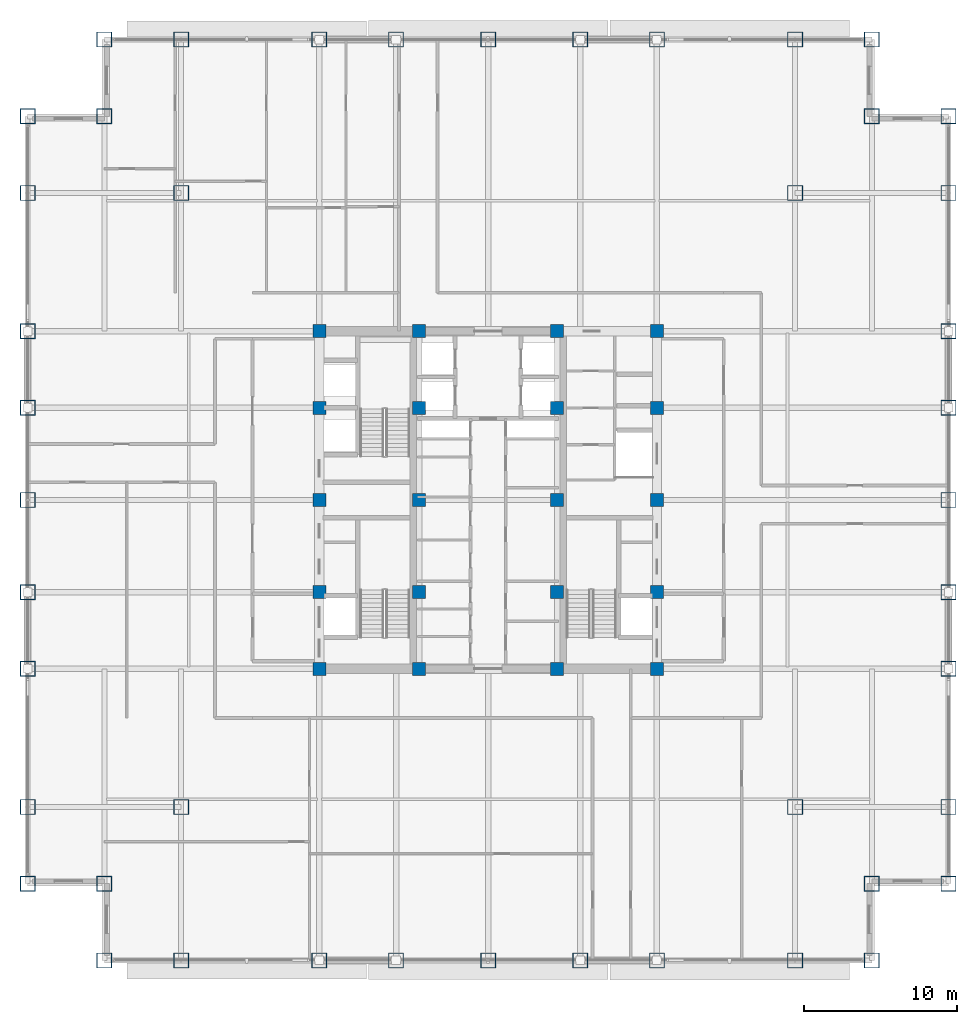
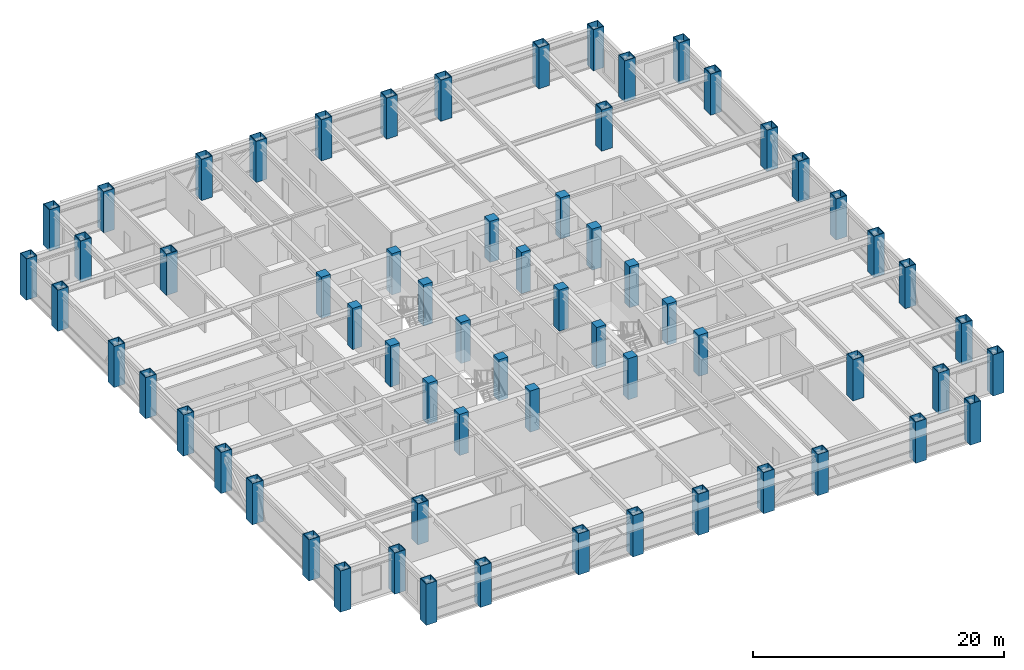
# One storey, part 1 of 29: 64 columns.
"""IFC4 building model written with IfcOpenShell, lengths in metres."""

import ifcopenshell
import ifcopenshell.guid

model = None  # the IFC model being written
_history = None  # IfcOwnerHistory: only IFC2X3 demands one
_inside = {}  # id of a spatial element -> (the spatial element, [elements in it])
_under = {}  # id of a project, library or spatial element -> (it, [spatial elements below it])
_declared = {}  # id of a project -> (the project, [libraries it declares])
_typed = {}  # id of a type object -> (the type object, [elements of that type])
_made_of = {}  # id of a material, layer set ... -> (it, [elements and type objects made of it])


def new_model(schema):
    """Start an empty IFC model of exactly this schema.

    Asked for "IFC4X3", IfcOpenShell would pick the latest addendum, in which some entities
    have other attributes; the version numbers below select the first issue.
    IFC2X3 requires an IfcOwnerHistory on every rooted entity: one is made here for all.
    """
    global model, _history
    if schema == "IFC4X3":
        model = ifcopenshell.file(schema_version=(4, 3, 0, 0))
    else:
        model = ifcopenshell.file(schema=schema)
    _inside.clear()
    _under.clear()
    _declared.clear()
    _typed.clear()
    _made_of.clear()
    _history = None
    if model.schema == "IFC2X3":
        org = make("IfcOrganization", Name="unknown")
        user = make(
            "IfcPersonAndOrganization",
            ThePerson=make("IfcPerson", FamilyName="unknown"),
            TheOrganization=org,
        )
        app = make(
            "IfcApplication",
            ApplicationDeveloper=org,
            Version="unknown",
            ApplicationFullName="unknown",
            ApplicationIdentifier="unknown",
        )
        _history = make(
            "IfcOwnerHistory",
            OwningUser=user,
            OwningApplication=app,
            ChangeAction="ADDED",
            CreationDate=0,
        )
    return model


def make(cls, **values):
    """One entity of the class cls with the attributes given. An attribute that is None is left unset."""
    return model.create_entity(
        cls, **{name: value for name, value in values.items() if value is not None}
    )


def rooted(cls, **values):
    """An entity with a GlobalId (a new one), such as an element, a storey or a relation."""
    return make(cls, GlobalId=ifcopenshell.guid.new(), OwnerHistory=_history, **values)


def si_unit(unit_type, name, prefix=None):
    """IfcSIUnit, for example si_unit("LENGTHUNIT", "METRE", prefix="MILLI")."""
    return make("IfcSIUnit", UnitType=unit_type, Prefix=prefix, Name=name)


def assignment(units):
    """IfcUnitAssignment: the units of a project."""
    return None if units is None else make("IfcUnitAssignment", Units=units)


def point(xyz):
    """IfcCartesianPoint."""
    return None if xyz is None else make("IfcCartesianPoint", Coordinates=xyz)


def direction(xyz):
    """IfcDirection."""
    return None if xyz is None else make("IfcDirection", DirectionRatios=xyz)


def frame(location, z_axis=None, x_axis=None):
    """IfcAxis2Placement3D, a coordinate frame: its origin and axes. An axis left out is left unset."""
    return make(
        "IfcAxis2Placement3D",
        Location=point(location),
        Axis=direction(z_axis),
        RefDirection=direction(x_axis),
    )


def frame_2d(location, x_axis=None):
    """IfcAxis2Placement2D, a coordinate frame in the plane: its origin and x axis."""
    return make(
        "IfcAxis2Placement2D", Location=point(location), RefDirection=direction(x_axis)
    )


def origin():
    """The frame at (0, 0, 0) with its axes left unset."""
    return frame((0.0, 0.0, 0.0))


def origin_2d():
    """The frame at (0, 0) in the plane with its x axis left unset."""
    return frame_2d((0.0, 0.0))


def place(relative_to, where):
    """IfcLocalPlacement: puts the frame where relative to a parent placement (None: the world)."""
    return make(
        "IfcLocalPlacement", PlacementRelTo=relative_to, RelativePlacement=where
    )


def context(
    kind, dimensions, precision=None, world=None, true_north=None, identifier=None
):
    """IfcGeometricRepresentationContext, for example the 3D "Model" context."""
    return make(
        "IfcGeometricRepresentationContext",
        ContextIdentifier=identifier,
        ContextType=kind,
        CoordinateSpaceDimension=dimensions,
        Precision=precision,
        WorldCoordinateSystem=world,
        TrueNorth=true_north,
    )


def subcontext(parent, identifier, kind, view, scale=None):
    """IfcGeometricRepresentationSubContext, for example "Body" below "Model"."""
    return make(
        "IfcGeometricRepresentationSubContext",
        ContextIdentifier=identifier,
        ContextType=kind,
        ParentContext=parent,
        TargetScale=scale,
        TargetView=view,
    )


def project(units=None, contexts=None):
    """IfcProject with its units and contexts."""
    return rooted(
        "IfcProject",
        Name="project",
        RepresentationContexts=contexts,
        UnitsInContext=assignment(units),
    )


def spatial(cls, under=None, at=None, **own):
    """A site, building, storey or space (cls), placed at a placement, below another one or the project."""
    s = rooted(cls, ObjectPlacement=at, **own)
    if under is not None:
        _under.setdefault(under.id(), (under, []))[1].append(s)
    return s


def profile(cls, at=None, kind="AREA", **sizes):
    """A parametric profile (cls). Its sizes go by their IFC names, for example OverallWidth=200.0."""
    return make(cls, ProfileType=kind, Position=at, **sizes)


def rectangle(**sizes):
    """IfcRectangleProfileDef."""
    return profile("IfcRectangleProfileDef", **sizes)


def hollow_rectangle(**sizes):
    """IfcRectangleHollowProfileDef."""
    return profile("IfcRectangleHollowProfileDef", **sizes)


def extrude(swept, where, along, depth):
    """IfcExtrudedAreaSolid: the profile swept, set in the frame where, extruded along a direction by depth."""
    return make(
        "IfcExtrudedAreaSolid",
        SweptArea=swept,
        Position=where,
        ExtrudedDirection=direction(along),
        Depth=depth,
    )


def shape(context_of_items, identifier, shape_type, items):
    """IfcShapeRepresentation: the items that make up one representation, for example the "Body"."""
    return make(
        "IfcShapeRepresentation",
        ContextOfItems=context_of_items,
        RepresentationIdentifier=identifier,
        RepresentationType=shape_type,
        Items=items,
    )


def source(mapping_origin, context_of_items, identifier, shape_type, items):
    """IfcRepresentationMap: a shape defined once, which mapped items show again and again."""
    return make(
        "IfcRepresentationMap",
        MappingOrigin=mapping_origin,
        MappedRepresentation=shape(context_of_items, identifier, shape_type, items),
    )


def transform(
    local_origin,
    x_axis=None,
    y_axis=None,
    z_axis=None,
    scale=None,
    scale2=None,
    scale3=None,
    uniform=True,
):
    """IfcCartesianTransformationOperator3D, or its non-uniform kind. x_axis, y_axis, z_axis: its Axis1, 2, 3."""
    if uniform:
        return make(
            "IfcCartesianTransformationOperator3D",
            Axis1=direction(x_axis),
            Axis2=direction(y_axis),
            LocalOrigin=point(local_origin),
            Scale=scale,
            Axis3=direction(z_axis),
        )
    return make(
        "IfcCartesianTransformationOperator3DnonUniform",
        Axis1=direction(x_axis),
        Axis2=direction(y_axis),
        LocalOrigin=point(local_origin),
        Scale=scale,
        Axis3=direction(z_axis),
        Scale2=scale2,
        Scale3=scale3,
    )


def mapped(mapping_source, mapping_target):
    """IfcMappedItem: shows the shape of a source again, moved by a transform."""
    return make(
        "IfcMappedItem", MappingSource=mapping_source, MappingTarget=mapping_target
    )


def material(Name=None, Category=None):
    """IfcMaterial."""
    return make("IfcMaterial", Name=Name, Category=Category)


def material_profile(
    of_material, cross_section, Name=None, Category=None, Priority=None
):
    """IfcMaterialProfile: a cross section and its material."""
    return make(
        "IfcMaterialProfile",
        Name=Name,
        Material=of_material,
        Profile=cross_section,
        Priority=Priority,
        Category=Category,
    )


def profile_set(profiles, Name=None, composite=None):
    """IfcMaterialProfileSet."""
    return make(
        "IfcMaterialProfileSet",
        Name=Name,
        MaterialProfiles=profiles,
        CompositeProfile=composite,
    )


def made_of(thing, what):
    """Note that an element or type object is made of a material, layer set ...; save() writes the relation."""
    if what is not None:
        _made_of.setdefault(what.id(), (what, []))[1].append(thing)
    return thing


def type_object(cls, material=None, **own):
    """A type object (cls), such as IfcWallType, which elements share."""
    return made_of(rooted(cls, **own), material)


def element(
    cls,
    number,
    at=None,
    inside=None,
    cuts=None,
    type_object=None,
    material=None,
    context=None,
    identifier="Body",
    shape_type=None,
    held_by="IfcProductDefinitionShape",
    body=None,
    shapes=None,
    **own,
):
    """One element of the class cls, such as IfcWall. Its Tag is "e" and its number.

    at: its placement. inside: the storey or other place that contains it. cuts: it is an
    opening in that element (IfcRelVoidsElement). A single representation is given by context,
    identifier, shape_type and body (its items); several are given by shapes. held_by: the class
    of the entity that holds the representations. save() writes the other relations.
    """
    e = rooted(cls, Tag="e%d" % number, ObjectPlacement=at, **own)
    if body is not None:
        shapes = [shape(context, identifier, shape_type, body)]
    if shapes is not None:
        e.Representation = make(held_by, Representations=shapes)
    if inside is not None:
        _inside.setdefault(inside.id(), (inside, []))[1].append(e)
    if cuts is not None:
        rooted(
            "IfcRelVoidsElement", RelatingBuildingElement=cuts, RelatedOpeningElement=e
        )
    if type_object is not None:
        _typed.setdefault(type_object.id(), (type_object, []))[1].append(e)
    return made_of(e, material)


def aggregate(whole, parts):
    """IfcRelAggregates: a whole, such as a stair, and the parts it consists of."""
    return rooted("IfcRelAggregates", RelatingObject=whole, RelatedObjects=parts)


def save(model, path):
    """Write the relations noted so far, then the file.

    IfcRelAggregates (storeys below a building ...), IfcRelContainedInSpatialStructure (elements
    in a storey), IfcRelDefinesByType, IfcRelAssociatesMaterial and IfcRelDeclares: one each for
    every whole, place, type object, material and project.
    """
    for whole, parts in _under.values():
        aggregate(whole, parts)
    for where, things in _inside.values():
        rooted(
            "IfcRelContainedInSpatialStructure",
            RelatedElements=things,
            RelatingStructure=where,
        )
    for kind, things in _typed.values():
        rooted("IfcRelDefinesByType", RelatedObjects=things, RelatingType=kind)
    for what, things in _made_of.values():
        rooted("IfcRelAssociatesMaterial", RelatedObjects=things, RelatingMaterial=what)
    for by, libraries in _declared.values():
        rooted("IfcRelDeclares", RelatingContext=by, RelatedDefinitions=libraries)
    model.write(path)


model = new_model("IFC4")

# Units and contexts
model_context = context("Model", 3, precision=1e-05, world=origin(), true_north=direction((0.0, 1.0)))
body_context = subcontext(model_context, "Body", "Model", "MODEL_VIEW")
ifc_project = project(units=[si_unit("LENGTHUNIT", "METRE"), si_unit("AREAUNIT", "SQUARE_METRE"), si_unit("VOLUMEUNIT", "CUBIC_METRE"), si_unit("PLANEANGLEUNIT", "RADIAN"), si_unit("MASSUNIT", "GRAM", prefix="KILO")], contexts=[model_context])

# Site, building, storey
site_placement = place(None, origin())
site = spatial("IfcSite", under=ifc_project, at=site_placement, CompositionType="ELEMENT")
building_placement = place(site_placement, origin())
building = spatial("IfcBuilding", under=site, at=building_placement, Name="Khorayat Bourse Tower", CompositionType="ELEMENT")
storey_placement = place(building_placement, frame((0.0, 0.0, 235.10009765625)))
storey = spatial("IfcBuildingStorey", under=building, at=storey_placement, Name="L55", CompositionType="ELEMENT", Elevation=235.10009765625)

# Columns
ifc_material_1 = material(Name="Concrete C60/75", Category="concrete")
ifc_material_profile_1 = material_profile(ifc_material_1, rectangle(XDim=0.85009765625, YDim=0.85009765625, at=origin_2d()), Name="RC 850x850")
ifc_profile_set_1 = profile_set([ifc_material_profile_1], Name="Concrete C60/75")
column_type_1 = type_object("IfcColumnType", Name="COL-CORE-850", PredefinedType="COLUMN", material=ifc_profile_set_1)
shared_shape_1 = source(origin(), body_context, "Body", "SweptSolid", [
    extrude(rectangle(XDim=0.85009765625, YDim=0.85009765625, at=origin_2d()), origin(), (0.0, 0.0, 1.0), 4.0),
])
for number, where, z_axis, x_axis, name in (
    (1, (-11.0, -11.0, 0.0), (0.0, 0.0, 1.0), (1.0, 0.0, 0.0), "L55 Column 019"),
    (2, (-11.0, -6.0, 0.0), (0.0, 0.0, 1.0), (1.0, 0.0, 0.0), "L55 Column 020"),
    (3, (-11.0, 0.0, 0.0), (0.0, 0.0, 1.0), (1.0, 0.0, 0.0), "L55 Column 021"),
    (4, (-11.0, 6.0, 0.0), (0.0, 0.0, 1.0), (1.0, 0.0, 0.0), "L55 Column 022"),
    (5, (-11.0, 11.0, 0.0), (0.0, 0.0, 1.0), (1.0, 0.0, 0.0), "L55 Column 023"),
    (6, (-4.5, -11.0, 0.0), (0.0, 0.0, 1.0), (1.0, 0.0, 0.0), "L55 Column 027"),
    (7, (-4.5, -6.0, 0.0), (0.0, 0.0, 1.0), (1.0, 0.0, 0.0), "L55 Column 028"),
    (8, (-4.5, 0.0, 0.0), (0.0, 0.0, 1.0), (1.0, 0.0, 0.0), "L55 Column 029"),
    (9, (-4.5, 6.0, 0.0), (0.0, 0.0, 1.0), (1.0, 0.0, 0.0), "L55 Column 030"),
    (10, (-4.5, 11.0, 0.0), (0.0, 0.0, 1.0), (1.0, 0.0, 0.0), "L55 Column 031"),
    (11, (4.5, -11.0, 0.0), (0.0, 0.0, 1.0), (1.0, 0.0, 0.0), "L55 Column 034"),
    (12, (4.5, -6.0, 0.0), (0.0, 0.0, 1.0), (1.0, 0.0, 0.0), "L55 Column 035"),
    (13, (4.5, 0.0, 0.0), (0.0, 0.0, 1.0), (1.0, 0.0, 0.0), "L55 Column 036"),
    (14, (4.5, 6.0, 0.0), (0.0, 0.0, 1.0), (1.0, 0.0, 0.0), "L55 Column 037"),
    (15, (4.5, 11.0, 0.0), (0.0, 0.0, 1.0), (1.0, 0.0, 0.0), "L55 Column 038"),
    (16, (11.0, -11.0, 0.0), (0.0, 0.0, 1.0), (1.0, 0.0, 0.0), "L55 Column 042"),
    (17, (11.0, -6.0, 0.0), (0.0, 0.0, 1.0), (1.0, 0.0, 0.0), "L55 Column 043"),
    (18, (11.0, 0.0, 0.0), (0.0, 0.0, 1.0), (1.0, 0.0, 0.0), "L55 Column 044"),
    (19, (11.0, 6.0, 0.0), (0.0, 0.0, 1.0), (1.0, 0.0, 0.0), "L55 Column 045"),
    (20, (11.0, 11.0, 0.0), (0.0, 0.0, 1.0), (1.0, 0.0, 0.0), "L55 Column 046"),
):
    element("IfcColumn", number, at=place(storey_placement, frame(where, z_axis=z_axis, x_axis=x_axis)), inside=storey, type_object=column_type_1, Name=name, PredefinedType="COLUMN", context=body_context, shape_type="MappedRepresentation", body=[
        mapped(shared_shape_1, transform((0.0, 0.0, 0.0), scale=1.0)),
    ])
ifc_material_2 = material(Name="Steel EN 10025-4 S460M", Category="steel")
ifc_material_profile_2 = material_profile(ifc_material_2, hollow_rectangle(XDim=1.0, YDim=1.0, WallThickness=0.054931640625, at=origin_2d()), Name="BOX 1000x1000x55")
ifc_profile_set_2 = profile_set([ifc_material_profile_2], Name="Steel EN 10025-4 S460M")
column_type_2 = type_object("IfcColumnType", Name="COL-TUBE-1000", PredefinedType="COLUMN", material=ifc_profile_set_2)
shared_shape_2 = source(origin(), body_context, "Body", "SweptSolid", [
    extrude(hollow_rectangle(XDim=1.0, YDim=1.0, WallThickness=0.054931640625, at=origin_2d()), origin(), (0.0, 0.0, 1.0), 4.0),
])
for number, where, z_axis, x_axis, name in (
    (21, (-30.0, -25.0, 0.0), (0.0, 0.0, 1.0), (1.0, 0.0, 0.0), "L55 Column 001"),
    (22, (-30.0, -20.0, 0.0), (0.0, 0.0, 1.0), (1.0, 0.0, 0.0), "L55 Column 002"),
    (23, (-30.0, -11.0, 0.0), (0.0, 0.0, 1.0), (1.0, 0.0, 0.0), "L55 Column 003"),
    (24, (-30.0, -6.0, 0.0), (0.0, 0.0, 1.0), (1.0, 0.0, 0.0), "L55 Column 004"),
    (25, (-30.0, 0.0, 0.0), (0.0, 0.0, 1.0), (1.0, 0.0, 0.0), "L55 Column 005"),
    (26, (-30.0, 6.0, 0.0), (0.0, 0.0, 1.0), (1.0, 0.0, 0.0), "L55 Column 006"),
    (27, (-30.0, 11.0, 0.0), (0.0, 0.0, 1.0), (1.0, 0.0, 0.0), "L55 Column 007"),
    (28, (-30.0, 20.0, 0.0), (0.0, 0.0, 1.0), (1.0, 0.0, 0.0), "L55 Column 008"),
    (29, (-30.0, 25.0, 0.0), (0.0, 0.0, 1.0), (1.0, 0.0, 0.0), "L55 Column 009"),
    (30, (-25.0, -30.0, 0.0), (0.0, 0.0, 1.0), (1.0, 0.0, 0.0), "L55 Column 010"),
    (31, (-25.0, -25.0, 0.0), (0.0, 0.0, 1.0), (1.0, 0.0, 0.0), "L55 Column 011"),
    (32, (-25.0, 25.0, 0.0), (0.0, 0.0, 1.0), (1.0, 0.0, 0.0), "L55 Column 012"),
    (33, (-25.0, 30.0, 0.0), (0.0, 0.0, 1.0), (1.0, 0.0, 0.0), "L55 Column 013"),
    (34, (-20.0, -30.0, 0.0), (0.0, 0.0, 1.0), (1.0, 0.0, 0.0), "L55 Column 014"),
    (35, (-20.0, -20.0, 0.0), (0.0, 0.0, 1.0), (1.0, 0.0, 0.0), "L55 Column 015"),
    (36, (-20.0, 20.0, 0.0), (0.0, 0.0, 1.0), (1.0, 0.0, 0.0), "L55 Column 016"),
    (37, (-20.0, 30.0, 0.0), (0.0, 0.0, 1.0), (1.0, 0.0, 0.0), "L55 Column 017"),
    (38, (-11.0, -30.0, 0.0), (0.0, 0.0, 1.0), (1.0, 0.0, 0.0), "L55 Column 018"),
    (39, (-11.0, 30.0, 0.0), (0.0, 0.0, 1.0), (1.0, 0.0, 0.0), "L55 Column 024"),
    (40, (-6.0, -30.0, 0.0), (0.0, 0.0, 1.0), (1.0, 0.0, 0.0), "L55 Column 025"),
    (41, (-6.0, 30.0, 0.0), (0.0, 0.0, 1.0), (1.0, 0.0, 0.0), "L55 Column 026"),
    (42, (0.0, -30.0, 0.0), (0.0, 0.0, 1.0), (1.0, 0.0, 0.0), "L55 Column 032"),
    (43, (0.0, 30.0, 0.0), (0.0, 0.0, 1.0), (1.0, 0.0, 0.0), "L55 Column 033"),
    (44, (6.0, -30.0, 0.0), (0.0, 0.0, 1.0), (1.0, 0.0, 0.0), "L55 Column 039"),
    (45, (6.0, 30.0, 0.0), (0.0, 0.0, 1.0), (1.0, 0.0, 0.0), "L55 Column 040"),
    (46, (11.0, -30.0, 0.0), (0.0, 0.0, 1.0), (1.0, 0.0, 0.0), "L55 Column 041"),
    (47, (11.0, 30.0, 0.0), (0.0, 0.0, 1.0), (1.0, 0.0, 0.0), "L55 Column 047"),
    (48, (20.0, -30.0, 0.0), (0.0, 0.0, 1.0), (1.0, 0.0, 0.0), "L55 Column 048"),
    (49, (20.0, -20.0, 0.0), (0.0, 0.0, 1.0), (1.0, 0.0, 0.0), "L55 Column 049"),
    (50, (20.0, 20.0, 0.0), (0.0, 0.0, 1.0), (1.0, 0.0, 0.0), "L55 Column 050"),
    (51, (20.0, 30.0, 0.0), (0.0, 0.0, 1.0), (1.0, 0.0, 0.0), "L55 Column 051"),
    (52, (25.0, -30.0, 0.0), (0.0, 0.0, 1.0), (1.0, 0.0, 0.0), "L55 Column 052"),
    (53, (25.0, -25.0, 0.0), (0.0, 0.0, 1.0), (1.0, 0.0, 0.0), "L55 Column 053"),
    (54, (25.0, 25.0, 0.0), (0.0, 0.0, 1.0), (1.0, 0.0, 0.0), "L55 Column 054"),
    (55, (25.0, 30.0, 0.0), (0.0, 0.0, 1.0), (1.0, 0.0, 0.0), "L55 Column 055"),
    (56, (30.0, -25.0, 0.0), (0.0, 0.0, 1.0), (1.0, 0.0, 0.0), "L55 Column 056"),
    (57, (30.0, -20.0, 0.0), (0.0, 0.0, 1.0), (1.0, 0.0, 0.0), "L55 Column 057"),
    (58, (30.0, -11.0, 0.0), (0.0, 0.0, 1.0), (1.0, 0.0, 0.0), "L55 Column 058"),
    (59, (30.0, -6.0, 0.0), (0.0, 0.0, 1.0), (1.0, 0.0, 0.0), "L55 Column 059"),
    (60, (30.0, 0.0, 0.0), (0.0, 0.0, 1.0), (1.0, 0.0, 0.0), "L55 Column 060"),
    (61, (30.0, 6.0, 0.0), (0.0, 0.0, 1.0), (1.0, 0.0, 0.0), "L55 Column 061"),
    (62, (30.0, 11.0, 0.0), (0.0, 0.0, 1.0), (1.0, 0.0, 0.0), "L55 Column 062"),
    (63, (30.0, 20.0, 0.0), (0.0, 0.0, 1.0), (1.0, 0.0, 0.0), "L55 Column 063"),
    (64, (30.0, 25.0, 0.0), (0.0, 0.0, 1.0), (1.0, 0.0, 0.0), "L55 Column 064"),
):
    element("IfcColumn", number, at=place(storey_placement, frame(where, z_axis=z_axis, x_axis=x_axis)), inside=storey, type_object=column_type_2, Name=name, PredefinedType="COLUMN", context=body_context, shape_type="MappedRepresentation", body=[
        mapped(shared_shape_2, transform((0.0, 0.0, 0.0), scale=1.0)),
    ])

save(model, "model.ifc")
